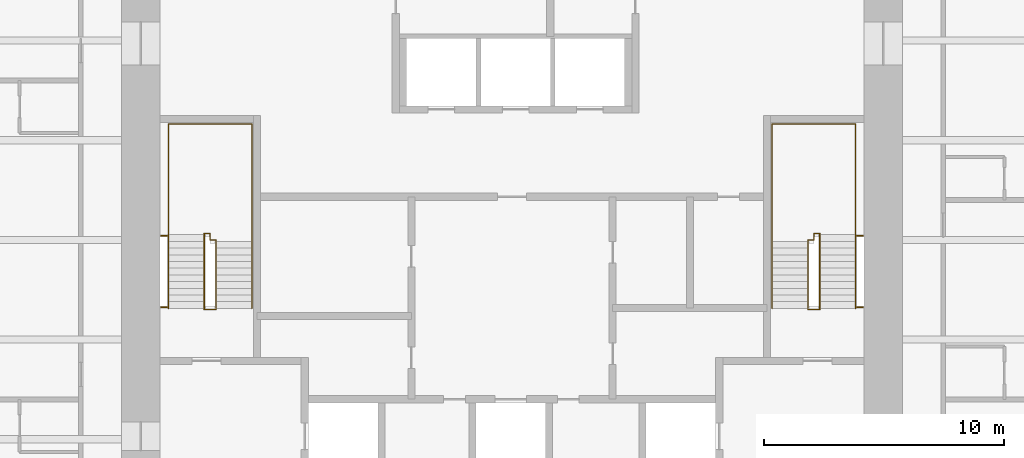
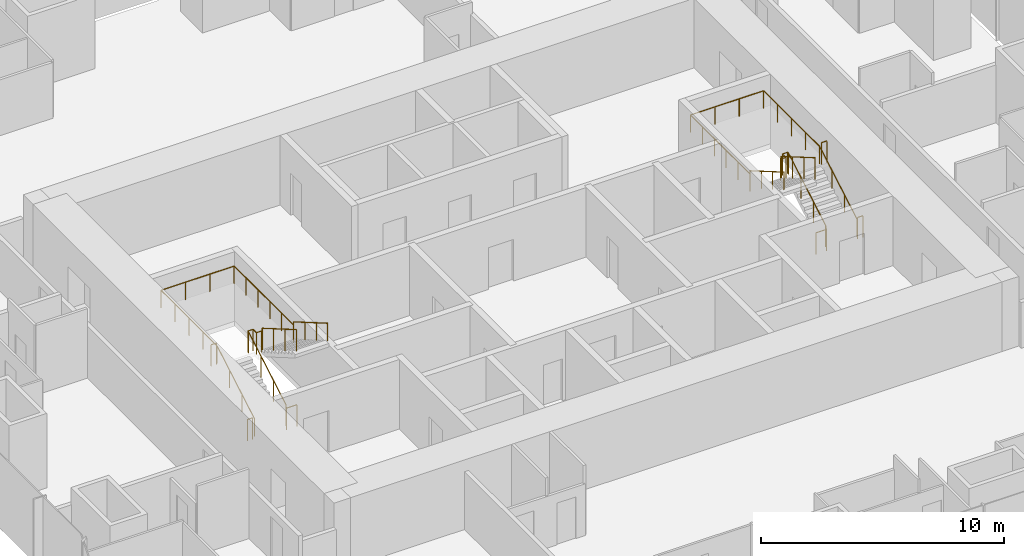
# One storey, part 12 of 12: 8 railings.
"""IFC4 building model written with IfcOpenShell, lengths in metres."""

from ifc_helpers import new_model, si_unit, direction, frame, origin, origin_2d, place, context, subcontext, project, spatial, circle, extrude, material, type_object, element, save


model = new_model("IFC4")

# Units and contexts
model_context = context("Model", 3, precision=1e-05, world=origin(), true_north=direction((0.0, 1.0)))
body_context = subcontext(model_context, "Body", "Model", "MODEL_VIEW")
ifc_project = project(units=[si_unit("LENGTHUNIT", "METRE"), si_unit("AREAUNIT", "SQUARE_METRE"), si_unit("VOLUMEUNIT", "CUBIC_METRE"), si_unit("PLANEANGLEUNIT", "RADIAN"), si_unit("MASSUNIT", "GRAM", prefix="KILO")], contexts=[model_context])

# Site, building, storey
site_placement = place(None, origin())
site = spatial("IfcSite", under=ifc_project, at=site_placement, CompositionType="ELEMENT")
building_placement = place(site_placement, origin())
building = spatial("IfcBuilding", under=site, at=building_placement, Name="Khuree Lantern Residences", CompositionType="ELEMENT")
storey_placement = place(building_placement, frame((0.0, 0.0, 210.75)))
storey = spatial("IfcBuildingStorey", under=building, at=storey_placement, Name="L52", CompositionType="ELEMENT", Elevation=210.75)

# Railings
ifc_material = material(Name="Steel S355", Category="steel")
railing_type_1 = type_object("IfcRailingType", Name="STAIR GUARD G1 1100", PredefinedType="GUARDRAIL", material=ifc_material)
railing_1_placement = place(storey_placement, frame((-12.35009765625, -2.909912109375, 0.0)))
element("IfcRailing", 1, at=railing_1_placement, inside=storey, type_object=railing_type_1, Name="Stair ST1 guard", PredefinedType="GUARDRAIL", context=body_context, shape_type="SweptSolid", body=[
    extrude(circle(Radius=0.02392578125, at=origin_2d()), frame((0.0, 0.0, 1.076171875), z_axis=(-1.0, 0.0, 0.0), x_axis=(0.0, -1.0, 0.0)), (0.0, 0.0, 1.0), 0.5),
    extrude(circle(Radius=0.02392578125, at=origin_2d()), frame((-0.5, 0.0, 1.076171875), z_axis=(0.0, 0.292073035251, 0.95639601739), x_axis=(-1.0, 0.0, 0.0)), (0.0, 0.0, 1.0), 0.17041015625),
    extrude(circle(Radius=0.02392578125, at=origin_2d()), frame((-0.5, 0.0498046875, 1.2392578125), z_axis=(0.0, 0.864176135923, 0.503189433615), x_axis=(-1.0, 0.0, 0.0)), (0.0, 0.0, 1.0), 3.564208984375),
    extrude(circle(Radius=0.02392578125, at=origin_2d()), frame((-0.5, 3.1298828125, 3.03271484375), z_axis=(0.0, 1.0, 0.0), x_axis=(-1.0, 0.0, 0.0)), (0.0, 0.0, 1.0), 0.050048828125),
    extrude(circle(Radius=0.02392578125, at=origin_2d()), frame((-0.5, 3.179931640625, 3.03271484375), z_axis=(1.0, 0.0, 0.0), x_axis=(0.0, 1.0, 0.0)), (0.0, 0.0, 1.0), 0.25),
    extrude(circle(Radius=0.02392578125, at=origin_2d()), frame((-0.25, 3.179931640625, 3.03271484375), z_axis=(0.0, -1.0, 0.0), x_axis=(1.0, 0.0, 0.0)), (0.0, 0.0, 1.0), 0.280029296875),
    extrude(circle(Radius=0.02392578125, at=origin_2d()), frame((-0.25, 2.89990234375, 3.03271484375), z_axis=(1.0, 0.0, 0.0), x_axis=(0.0, 1.0, 0.0)), (0.0, 0.0, 1.0), 0.25),
    extrude(circle(Radius=0.02392578125, at=origin_2d()), frame((0.0, 2.89990234375, 3.03271484375), z_axis=(0.0, -0.293381807449, 0.955995353053), x_axis=(1.0, 0.0, 0.0)), (0.0, 0.0, 1.0), 0.170654296875),
    extrude(circle(Radius=0.02392578125, at=origin_2d()), frame((0.0, 2.849853515625, 3.19580078125), z_axis=(0.0, -0.864180358799, 0.503182181189), x_axis=(1.0, 0.0, 0.0)), (0.0, 0.0, 1.0), 3.240234375),
    extrude(circle(Radius=0.02099609375, at=origin_2d()), origin(), (0.0, 0.0, 1.0), 1.052001953125),
    extrude(circle(Radius=0.02099609375, at=origin_2d()), frame((-0.5, 0.0, 0.0)), (0.0, 0.0, 1.0), 1.052001953125),
    extrude(circle(Radius=0.02099609375, at=origin_2d()), frame((-0.5, 0.0498046875, 0.1630859375)), (0.0, 0.0, 1.0), 1.052001953125),
    extrude(circle(Radius=0.02099609375, at=origin_2d()), frame((-0.5, 1.076416015625, 0.760986328125)), (0.0, 0.0, 1.0), 1.052001953125),
    extrude(circle(Radius=0.02099609375, at=origin_2d()), frame((-0.5, 2.103271484375, 1.358642578125)), (0.0, 0.0, 1.0), 1.052001953125),
    extrude(circle(Radius=0.02099609375, at=origin_2d()), frame((-0.5, 3.1298828125, 1.95654296875)), (0.0, 0.0, 1.0), 1.052001953125),
    extrude(circle(Radius=0.02099609375, at=origin_2d()), frame((-0.5, 3.179931640625, 1.95654296875)), (0.0, 0.0, 1.0), 1.052001953125),
    extrude(circle(Radius=0.02099609375, at=origin_2d()), frame((-0.25, 3.179931640625, 1.95654296875)), (0.0, 0.0, 1.0), 1.052001953125),
    extrude(circle(Radius=0.02099609375, at=origin_2d()), frame((-0.25, 2.89990234375, 1.95654296875)), (0.0, 0.0, 1.0), 1.052001953125),
    extrude(circle(Radius=0.02099609375, at=origin_2d()), frame((0.0, 2.89990234375, 1.95654296875)), (0.0, 0.0, 1.0), 1.052001953125),
    extrude(circle(Radius=0.02099609375, at=origin_2d()), frame((0.0, 2.849853515625, 2.11962890625)), (0.0, 0.0, 1.0), 1.052001953125),
    extrude(circle(Radius=0.02099609375, at=origin_2d()), frame((0.0, 1.91650390625, 2.6630859375)), (0.0, 0.0, 1.0), 1.052001953125),
    extrude(circle(Radius=0.02099609375, at=origin_2d()), frame((0.0, 0.983154296875, 3.20654296875)), (0.0, 0.0, 1.0), 1.052001953125),
    extrude(circle(Radius=0.02099609375, at=origin_2d()), frame((0.0, 0.0498046875, 3.75)), (0.0, 0.0, 1.0), 1.052001953125),
])
for number, where, name in (
    (2, (-14.64990234375, -2.81005859375, 0.0), "Stair ST1 landing slot guard"),
    (3, (-14.64990234375, 0.169921875, 1.95654296875), "Stair ST1 landing slot guard"),
):
    element("IfcRailing", number, at=place(storey_placement, frame(where)), inside=storey, type_object=railing_type_1, Name=name, PredefinedType="GUARDRAIL", context=body_context, shape_type="SweptSolid", body=[
        extrude(circle(Radius=0.02392578125, at=origin_2d()), frame((0.0, 0.0, 1.076171875), z_axis=(1.0, 0.0, 0.0), x_axis=(0.0, 1.0, 0.0)), (0.0, 0.0, 1.0), 0.25),
        extrude(circle(Radius=0.02099609375, at=origin_2d()), origin(), (0.0, 0.0, 1.0), 1.052001953125),
        extrude(circle(Radius=0.02099609375, at=origin_2d()), frame((0.25, 0.0, 0.0)), (0.0, 0.0, 1.0), 1.052001953125),
    ])
railing_2_placement = place(storey_placement, frame((12.35009765625, -2.909912109375, 0.0)))
element("IfcRailing", 4, at=railing_2_placement, inside=storey, type_object=railing_type_1, Name="Stair ST2 guard", PredefinedType="GUARDRAIL", context=body_context, shape_type="SweptSolid", body=[
    extrude(circle(Radius=0.02392578125, at=origin_2d()), frame((0.0, 0.0, 1.076171875), z_axis=(1.0, 0.0, 0.0), x_axis=(0.0, 1.0, 0.0)), (0.0, 0.0, 1.0), 0.5),
    extrude(circle(Radius=0.02392578125, at=origin_2d()), frame((0.5, 0.0, 1.076171875), z_axis=(0.0, 0.292073035251, 0.95639601739), x_axis=(-1.0, 0.0, 0.0)), (0.0, 0.0, 1.0), 0.17041015625),
    extrude(circle(Radius=0.02392578125, at=origin_2d()), frame((0.5, 0.0498046875, 1.2392578125), z_axis=(0.0, 0.864176135923, 0.503189433615), x_axis=(-1.0, 0.0, 0.0)), (0.0, 0.0, 1.0), 3.564208984375),
    extrude(circle(Radius=0.02392578125, at=origin_2d()), frame((0.5, 3.1298828125, 3.03271484375), z_axis=(0.0, 1.0, 0.0), x_axis=(-1.0, 0.0, 0.0)), (0.0, 0.0, 1.0), 0.050048828125),
    extrude(circle(Radius=0.02392578125, at=origin_2d()), frame((0.5, 3.179931640625, 3.03271484375), z_axis=(-1.0, 0.0, 0.0), x_axis=(0.0, -1.0, 0.0)), (0.0, 0.0, 1.0), 0.25),
    extrude(circle(Radius=0.02392578125, at=origin_2d()), frame((0.25, 3.179931640625, 3.03271484375), z_axis=(0.0, -1.0, 0.0), x_axis=(1.0, 0.0, 0.0)), (0.0, 0.0, 1.0), 0.280029296875),
    extrude(circle(Radius=0.02392578125, at=origin_2d()), frame((0.25, 2.89990234375, 3.03271484375), z_axis=(-1.0, 0.0, 0.0), x_axis=(0.0, -1.0, 0.0)), (0.0, 0.0, 1.0), 0.25),
    extrude(circle(Radius=0.02392578125, at=origin_2d()), frame((0.0, 2.89990234375, 3.03271484375), z_axis=(0.0, -0.293381807449, 0.955995353053), x_axis=(1.0, 0.0, 0.0)), (0.0, 0.0, 1.0), 0.170654296875),
    extrude(circle(Radius=0.02392578125, at=origin_2d()), frame((0.0, 2.849853515625, 3.19580078125), z_axis=(0.0, -0.864180358799, 0.503182181189), x_axis=(1.0, 0.0, 0.0)), (0.0, 0.0, 1.0), 3.240234375),
    extrude(circle(Radius=0.02099609375, at=origin_2d()), origin(), (0.0, 0.0, 1.0), 1.052001953125),
    extrude(circle(Radius=0.02099609375, at=origin_2d()), frame((0.5, 0.0, 0.0)), (0.0, 0.0, 1.0), 1.052001953125),
    extrude(circle(Radius=0.02099609375, at=origin_2d()), frame((0.5, 0.0498046875, 0.1630859375)), (0.0, 0.0, 1.0), 1.052001953125),
    extrude(circle(Radius=0.02099609375, at=origin_2d()), frame((0.5, 1.076416015625, 0.760986328125)), (0.0, 0.0, 1.0), 1.052001953125),
    extrude(circle(Radius=0.02099609375, at=origin_2d()), frame((0.5, 2.103271484375, 1.358642578125)), (0.0, 0.0, 1.0), 1.052001953125),
    extrude(circle(Radius=0.02099609375, at=origin_2d()), frame((0.5, 3.1298828125, 1.95654296875)), (0.0, 0.0, 1.0), 1.052001953125),
    extrude(circle(Radius=0.02099609375, at=origin_2d()), frame((0.5, 3.179931640625, 1.95654296875)), (0.0, 0.0, 1.0), 1.052001953125),
    extrude(circle(Radius=0.02099609375, at=origin_2d()), frame((0.25, 3.179931640625, 1.95654296875)), (0.0, 0.0, 1.0), 1.052001953125),
    extrude(circle(Radius=0.02099609375, at=origin_2d()), frame((0.25, 2.89990234375, 1.95654296875)), (0.0, 0.0, 1.0), 1.052001953125),
    extrude(circle(Radius=0.02099609375, at=origin_2d()), frame((0.0, 2.89990234375, 1.95654296875)), (0.0, 0.0, 1.0), 1.052001953125),
    extrude(circle(Radius=0.02099609375, at=origin_2d()), frame((0.0, 2.849853515625, 2.11962890625)), (0.0, 0.0, 1.0), 1.052001953125),
    extrude(circle(Radius=0.02099609375, at=origin_2d()), frame((0.0, 1.91650390625, 2.6630859375)), (0.0, 0.0, 1.0), 1.052001953125),
    extrude(circle(Radius=0.02099609375, at=origin_2d()), frame((0.0, 0.983154296875, 3.20654296875)), (0.0, 0.0, 1.0), 1.052001953125),
    extrude(circle(Radius=0.02099609375, at=origin_2d()), frame((0.0, 0.0498046875, 3.75)), (0.0, 0.0, 1.0), 1.052001953125),
])
for number, where, name in (
    (5, (14.64990234375, -2.81005859375, 0.0), "Stair ST2 landing slot guard"),
    (6, (14.64990234375, 0.169921875, 1.95654296875), "Stair ST2 landing slot guard"),
):
    element("IfcRailing", number, at=place(storey_placement, frame(where)), inside=storey, type_object=railing_type_1, Name=name, PredefinedType="GUARDRAIL", context=body_context, shape_type="SweptSolid", body=[
        extrude(circle(Radius=0.02392578125, at=origin_2d()), frame((0.0, 0.0, 1.076171875), z_axis=(-1.0, 0.0, 0.0), x_axis=(0.0, -1.0, 0.0)), (0.0, 0.0, 1.0), 0.25),
        extrude(circle(Radius=0.02099609375, at=origin_2d()), origin(), (0.0, 0.0, 1.0), 1.052001953125),
        extrude(circle(Radius=0.02099609375, at=origin_2d()), frame((-0.25, 0.0, 0.0)), (0.0, 0.0, 1.0), 1.052001953125),
    ])
railing_type_2 = type_object("IfcRailingType", Name="STAIR HANDRAIL H1 900", PredefinedType="HANDRAIL", material=ifc_material)
railing_3_placement = place(storey_placement, frame((-14.340087890625, -2.860107421875, 0.1630859375)))
element("IfcRailing", 7, at=railing_3_placement, inside=storey, type_object=railing_type_2, Name="Stair ST1 handrail", PredefinedType="HANDRAIL", context=body_context, shape_type="SweptSolid", body=[
    extrude(circle(Radius=0.02392578125, at=origin_2d()), frame((0.0, 0.0, 0.8759765625), z_axis=(0.0, 0.864176135923, 0.503189433615), x_axis=(-1.0, 0.0, 0.0)), (0.0, 0.0, 1.0), 3.564208984375),
    extrude(circle(Radius=0.02392578125, at=origin_2d()), frame((0.0, 3.080078125, 2.66943359375), z_axis=(0.0, 1.0, 0.0), x_axis=(-1.0, 0.0, 0.0)), (0.0, 0.0, 1.0), 4.6201171875),
    extrude(circle(Radius=0.02392578125, at=origin_2d()), frame((0.0, 7.7001953125, 2.66943359375), z_axis=(1.0, 0.0, 0.0), x_axis=(0.0, 1.0, 0.0)), (0.0, 0.0, 1.0), 3.47998046875),
    extrude(circle(Radius=0.02392578125, at=origin_2d()), frame((3.47998046875, 7.7001953125, 2.66943359375), z_axis=(0.0, -1.0, 0.0), x_axis=(1.0, 0.0, 0.0)), (0.0, 0.0, 1.0), 4.900146484375),
    extrude(circle(Radius=0.02392578125, at=origin_2d()), frame((3.47998046875, 2.800048828125, 2.66943359375), z_axis=(0.0, 0.0, 1.0), x_axis=(1.0, 0.0, 0.0)), (0.0, 0.0, 1.0), 0.1630859375),
    extrude(circle(Radius=0.02392578125, at=origin_2d()), frame((3.47998046875, 2.800048828125, 2.83251953125), z_axis=(0.0, -0.864180358799, 0.503182181189), x_axis=(1.0, 0.0, 0.0)), (0.0, 0.0, 1.0), 3.240234375),
    extrude(circle(Radius=0.02099609375, at=origin_2d()), origin(), (0.0, 0.0, 1.0), 0.851806640625),
    extrude(circle(Radius=0.02099609375, at=origin_2d()), frame((0.0, 1.026611328125, 0.597900390625)), (0.0, 0.0, 1.0), 0.851806640625),
    extrude(circle(Radius=0.02099609375, at=origin_2d()), frame((0.0, 2.053466796875, 1.195556640625)), (0.0, 0.0, 1.0), 0.851806640625),
    extrude(circle(Radius=0.02099609375, at=origin_2d()), frame((0.0, 3.080078125, 1.79345703125)), (0.0, 0.0, 1.0), 0.851806640625),
    extrude(circle(Radius=0.02099609375, at=origin_2d()), frame((0.0, 4.235107421875, 1.79345703125)), (0.0, 0.0, 1.0), 0.851806640625),
    extrude(circle(Radius=0.02099609375, at=origin_2d()), frame((0.0, 5.39013671875, 1.79345703125)), (0.0, 0.0, 1.0), 0.851806640625),
    extrude(circle(Radius=0.02099609375, at=origin_2d()), frame((0.0, 6.545166015625, 1.79345703125)), (0.0, 0.0, 1.0), 0.851806640625),
    extrude(circle(Radius=0.02099609375, at=origin_2d()), frame((0.0, 7.7001953125, 1.79345703125)), (0.0, 0.0, 1.0), 0.851806640625),
    extrude(circle(Radius=0.02099609375, at=origin_2d()), frame((1.159912109375, 7.7001953125, 1.79345703125)), (0.0, 0.0, 1.0), 0.851806640625),
    extrude(circle(Radius=0.02099609375, at=origin_2d()), frame((2.320068359375, 7.7001953125, 1.79345703125)), (0.0, 0.0, 1.0), 0.851806640625),
    extrude(circle(Radius=0.02099609375, at=origin_2d()), frame((3.47998046875, 7.7001953125, 1.79345703125)), (0.0, 0.0, 1.0), 0.851806640625),
    extrude(circle(Radius=0.02099609375, at=origin_2d()), frame((3.47998046875, 6.72021484375, 1.79345703125)), (0.0, 0.0, 1.0), 0.851806640625),
    extrude(circle(Radius=0.02099609375, at=origin_2d()), frame((3.47998046875, 5.740234375, 1.79345703125)), (0.0, 0.0, 1.0), 0.851806640625),
    extrude(circle(Radius=0.02099609375, at=origin_2d()), frame((3.47998046875, 4.760009765625, 1.79345703125)), (0.0, 0.0, 1.0), 0.851806640625),
    extrude(circle(Radius=0.02099609375, at=origin_2d()), frame((3.47998046875, 3.780029296875, 1.79345703125)), (0.0, 0.0, 1.0), 0.851806640625),
    extrude(circle(Radius=0.02099609375, at=origin_2d()), frame((3.47998046875, 2.800048828125, 1.79345703125)), (0.0, 0.0, 1.0), 0.851806640625),
    extrude(circle(Radius=0.02099609375, at=origin_2d()), frame((3.47998046875, 2.800048828125, 1.95654296875)), (0.0, 0.0, 1.0), 0.851806640625),
    extrude(circle(Radius=0.02099609375, at=origin_2d()), frame((3.47998046875, 1.86669921875, 2.5)), (0.0, 0.0, 1.0), 0.851806640625),
    extrude(circle(Radius=0.02099609375, at=origin_2d()), frame((3.47998046875, 0.933349609375, 3.04345703125)), (0.0, 0.0, 1.0), 0.851806640625),
    extrude(circle(Radius=0.02099609375, at=origin_2d()), frame((3.47998046875, 0.0, 3.5869140625)), (0.0, 0.0, 1.0), 0.851806640625),
])
railing_4_placement = place(storey_placement, frame((14.340087890625, -2.860107421875, 0.1630859375)))
element("IfcRailing", 8, at=railing_4_placement, inside=storey, type_object=railing_type_2, Name="Stair ST2 handrail", PredefinedType="HANDRAIL", context=body_context, shape_type="SweptSolid", body=[
    extrude(circle(Radius=0.02392578125, at=origin_2d()), frame((0.0, 0.0, 0.8759765625), z_axis=(0.0, 0.864176135923, 0.503189433615), x_axis=(-1.0, 0.0, 0.0)), (0.0, 0.0, 1.0), 3.564208984375),
    extrude(circle(Radius=0.02392578125, at=origin_2d()), frame((0.0, 3.080078125, 2.66943359375), z_axis=(0.0, 1.0, 0.0), x_axis=(-1.0, 0.0, 0.0)), (0.0, 0.0, 1.0), 4.6201171875),
    extrude(circle(Radius=0.02392578125, at=origin_2d()), frame((0.0, 7.7001953125, 2.66943359375), z_axis=(-1.0, 0.0, 0.0), x_axis=(0.0, -1.0, 0.0)), (0.0, 0.0, 1.0), 3.47998046875),
    extrude(circle(Radius=0.02392578125, at=origin_2d()), frame((-3.47998046875, 7.7001953125, 2.66943359375), z_axis=(0.0, -1.0, 0.0), x_axis=(1.0, 0.0, 0.0)), (0.0, 0.0, 1.0), 4.900146484375),
    extrude(circle(Radius=0.02392578125, at=origin_2d()), frame((-3.47998046875, 2.800048828125, 2.66943359375), z_axis=(0.0, 0.0, 1.0), x_axis=(1.0, 0.0, 0.0)), (0.0, 0.0, 1.0), 0.1630859375),
    extrude(circle(Radius=0.02392578125, at=origin_2d()), frame((-3.47998046875, 2.800048828125, 2.83251953125), z_axis=(0.0, -0.864180358799, 0.503182181189), x_axis=(1.0, 0.0, 0.0)), (0.0, 0.0, 1.0), 3.240234375),
    extrude(circle(Radius=0.02099609375, at=origin_2d()), origin(), (0.0, 0.0, 1.0), 0.851806640625),
    extrude(circle(Radius=0.02099609375, at=origin_2d()), frame((0.0, 1.026611328125, 0.597900390625)), (0.0, 0.0, 1.0), 0.851806640625),
    extrude(circle(Radius=0.02099609375, at=origin_2d()), frame((0.0, 2.053466796875, 1.195556640625)), (0.0, 0.0, 1.0), 0.851806640625),
    extrude(circle(Radius=0.02099609375, at=origin_2d()), frame((0.0, 3.080078125, 1.79345703125)), (0.0, 0.0, 1.0), 0.851806640625),
    extrude(circle(Radius=0.02099609375, at=origin_2d()), frame((0.0, 4.235107421875, 1.79345703125)), (0.0, 0.0, 1.0), 0.851806640625),
    extrude(circle(Radius=0.02099609375, at=origin_2d()), frame((0.0, 5.39013671875, 1.79345703125)), (0.0, 0.0, 1.0), 0.851806640625),
    extrude(circle(Radius=0.02099609375, at=origin_2d()), frame((0.0, 6.545166015625, 1.79345703125)), (0.0, 0.0, 1.0), 0.851806640625),
    extrude(circle(Radius=0.02099609375, at=origin_2d()), frame((0.0, 7.7001953125, 1.79345703125)), (0.0, 0.0, 1.0), 0.851806640625),
    extrude(circle(Radius=0.02099609375, at=origin_2d()), frame((-1.159912109375, 7.7001953125, 1.79345703125)), (0.0, 0.0, 1.0), 0.851806640625),
    extrude(circle(Radius=0.02099609375, at=origin_2d()), frame((-2.320068359375, 7.7001953125, 1.79345703125)), (0.0, 0.0, 1.0), 0.851806640625),
    extrude(circle(Radius=0.02099609375, at=origin_2d()), frame((-3.47998046875, 7.7001953125, 1.79345703125)), (0.0, 0.0, 1.0), 0.851806640625),
    extrude(circle(Radius=0.02099609375, at=origin_2d()), frame((-3.47998046875, 6.72021484375, 1.79345703125)), (0.0, 0.0, 1.0), 0.851806640625),
    extrude(circle(Radius=0.02099609375, at=origin_2d()), frame((-3.47998046875, 5.740234375, 1.79345703125)), (0.0, 0.0, 1.0), 0.851806640625),
    extrude(circle(Radius=0.02099609375, at=origin_2d()), frame((-3.47998046875, 4.760009765625, 1.79345703125)), (0.0, 0.0, 1.0), 0.851806640625),
    extrude(circle(Radius=0.02099609375, at=origin_2d()), frame((-3.47998046875, 3.780029296875, 1.79345703125)), (0.0, 0.0, 1.0), 0.851806640625),
    extrude(circle(Radius=0.02099609375, at=origin_2d()), frame((-3.47998046875, 2.800048828125, 1.79345703125)), (0.0, 0.0, 1.0), 0.851806640625),
    extrude(circle(Radius=0.02099609375, at=origin_2d()), frame((-3.47998046875, 2.800048828125, 1.95654296875)), (0.0, 0.0, 1.0), 0.851806640625),
    extrude(circle(Radius=0.02099609375, at=origin_2d()), frame((-3.47998046875, 1.86669921875, 2.5)), (0.0, 0.0, 1.0), 0.851806640625),
    extrude(circle(Radius=0.02099609375, at=origin_2d()), frame((-3.47998046875, 0.933349609375, 3.04345703125)), (0.0, 0.0, 1.0), 0.851806640625),
    extrude(circle(Radius=0.02099609375, at=origin_2d()), frame((-3.47998046875, 0.0, 3.5869140625)), (0.0, 0.0, 1.0), 0.851806640625),
])

save(model, "model.ifc")
